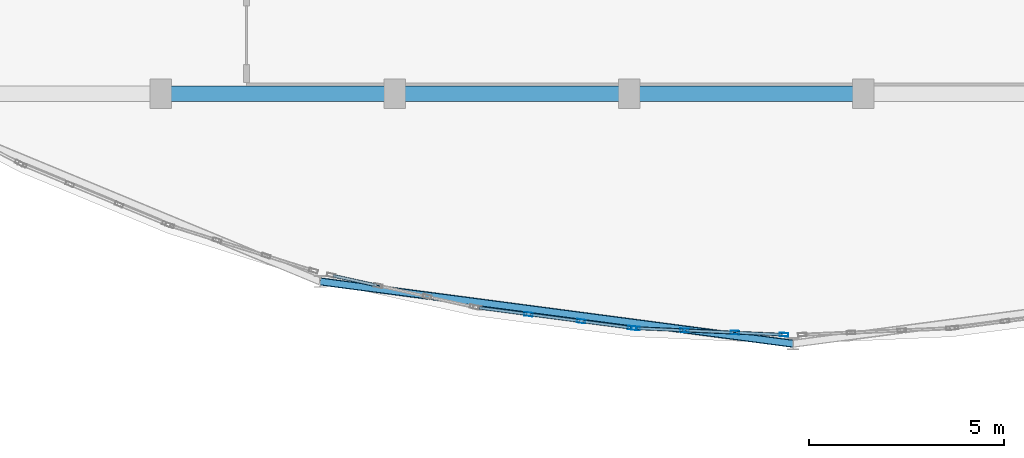
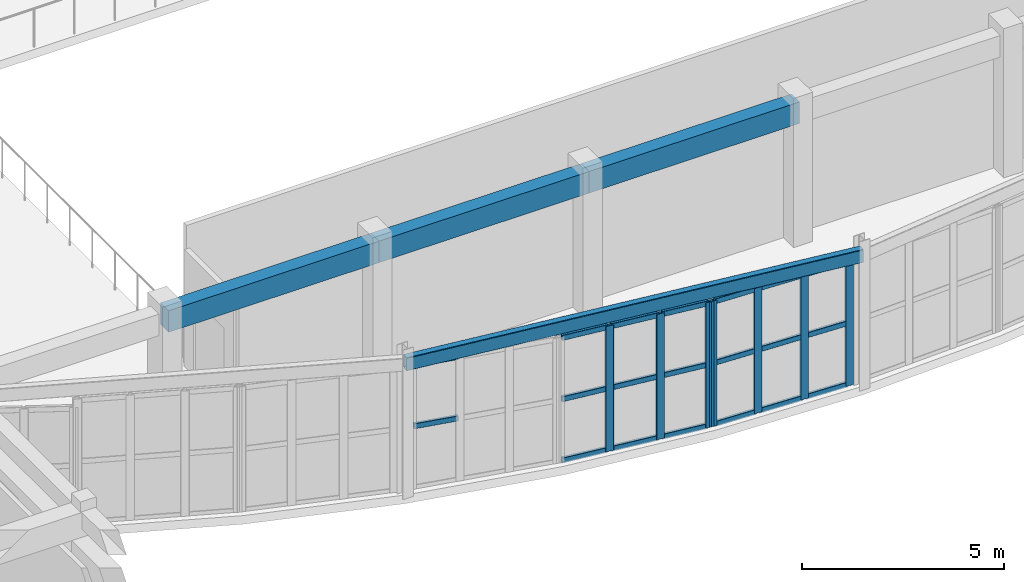
# One storey, part 7 of 92: 27 members, 4 beams, 3 elements without a shape of their own.
"""IFC4 building model written with IfcOpenShell, lengths in metres."""

from ifc_helpers import new_model, si_unit, direction, frame, origin, origin_2d, place, context, subcontext, project, spatial, rectangle, hollow_rectangle, extrude, material, layer, layer_set, material_profile, profile_set, type_object, element, aggregate, save


model = new_model("IFC4")

# Units and contexts
model_context = context("Model", 3, precision=1e-05, world=origin(), true_north=direction((0.0, 1.0)))
body_context = subcontext(model_context, "Body", "Model", "MODEL_VIEW")
ifc_project = project(units=[si_unit("LENGTHUNIT", "METRE"), si_unit("AREAUNIT", "SQUARE_METRE"), si_unit("VOLUMEUNIT", "CUBIC_METRE"), si_unit("PLANEANGLEUNIT", "RADIAN"), si_unit("MASSUNIT", "GRAM", prefix="KILO")], contexts=[model_context])

# Site, building, storey
site_placement = place(None, origin())
site = spatial("IfcSite", under=ifc_project, at=site_placement, CompositionType="ELEMENT")
building_placement = place(site_placement, origin())
building = spatial("IfcBuilding", under=site, at=building_placement, Name="Tarnavel Promenade Courthouse", CompositionType="ELEMENT")
storey_placement = place(building_placement, frame((0.0, 0.0, 5.39990234375)))
storey = spatial("IfcBuildingStorey", under=building, at=storey_placement, Name="L02", CompositionType="ELEMENT", Elevation=5.39990234375)

# Beams
ifc_material_1 = material(Name="Concrete C40/50", Category="concrete")
ifc_material_profile_1 = material_profile(ifc_material_1, rectangle(XDim=0.39990234375, YDim=0.64990234375, at=origin_2d()), Name="RC 400x650")
ifc_profile_set_1 = profile_set([ifc_material_profile_1], Name="Concrete C40/50")
beam_type_1 = type_object("IfcBeamType", Name="Concrete C40/50 BM-RC-400x650 (RC 400x650)", PredefinedType="BEAM", material=ifc_profile_set_1)
for number, where, z_axis, x_axis, name in (
    (1, (15.60009765625, 14.800048828125, 3.8701171875), (1.0, 0.0, 0.0), (0.0, 1.0, 0.0), "L02 Primary Longitudinal Beam 1073"),
    (2, (21.60009765625, 14.800048828125, 3.8701171875), (1.0, 0.0, 0.0), (0.0, 1.0, 0.0), "L02 Primary Longitudinal Beam 1074"),
    (3, (27.60009765625, 14.800048828125, 3.8701171875), (1.0, 0.0, 0.0), (0.0, 1.0, 0.0), "L02 Primary Longitudinal Beam 1075"),
):
    element("IfcBeam", number, at=place(storey_placement, frame(where, z_axis=z_axis, x_axis=x_axis)), inside=storey, type_object=beam_type_1, Name=name, PredefinedType="BEAM", context=body_context, shape_type="SweptSolid", body=[
        extrude(rectangle(XDim=0.39990234375, YDim=0.64990234375, at=origin_2d()), origin(), (0.0, 0.0, 1.0), 6.0),
    ])
ifc_material_2 = material(Name="Steel S355J2", Category="steel")
ifc_material_profile_2 = material_profile(ifc_material_2, hollow_rectangle(XDim=0.199951171875, YDim=0.39990234375, WallThickness=0.01416015625, InnerFilletRadius=0.013916015625, OuterFilletRadius=0.028076171875, at=origin_2d()), Name="RHS 400x200x14.2")
ifc_profile_set_2 = profile_set([ifc_material_profile_2], Name="Steel S355J2")
beam_type_2 = type_object("IfcBeamType", Name="Steel S355J2 BM-ST-RHS400 (RHS 400x200x14.2)", PredefinedType="SPANDREL", material=ifc_profile_set_2)
beam_placement = place(storey_placement, frame((19.687255859375, 9.99462890625, 3.9951171875), z_axis=(0.991444362306, -0.13052998296, 0.0), x_axis=(0.13052998296, 0.991444362306, 0.0)))
element("IfcBeam", 4, at=beam_placement, inside=storey, type_object=beam_type_2, Name="L02 Public Drum Ring Beam 1528", PredefinedType="SPANDREL", context=body_context, shape_type="SweptSolid", body=[
    extrude(hollow_rectangle(XDim=0.199951171875, YDim=0.39990234375, WallThickness=0.01416015625, InnerFilletRadius=0.013916015625, OuterFilletRadius=0.028076171875, at=origin_2d()), origin(), (0.0, 0.0, 1.0), 12.21728515625),
])

# Curtain wall, members
ifc_material_3 = material(Name="Thermally Broken Anodised Aluminium Curtain Wall System", Category="aluminium")
ifc_layer = layer(ifc_material_3, 0.219970703125)
ifc_layer_set = layer_set([ifc_layer], Name="Thermally Broken Anodised Aluminium Curtain Wall System")
curtain_wall_type = type_object("IfcCurtainWallType", Name="Thermally Broken Aluminium Triple-Glazed Curtain Wall CW-DRUM", PredefinedType="NOTDEFINED", material=ifc_layer_set)
curtain_wall_1_placement = place(storey_placement, origin())
curtain_wall_1 = element("IfcCurtainWall", 5, at=curtain_wall_1_placement, inside=storey, type_object=curtain_wall_type, Name="L02 Public Hall Drum Curtain Wall 016", PredefinedType="NOTDEFINED")
ifc_material_4 = material(Name="Thermally Broken Anodised Aluminium Frame", Category="aluminium")
ifc_material_profile_3 = material_profile(ifc_material_4, hollow_rectangle(XDim=0.090087890625, YDim=0.219970703125, WallThickness=0.0048828125, InnerFilletRadius=0.0048828125, OuterFilletRadius=0.010009765625, at=origin_2d()), Name="CWM 220x90x5")
ifc_profile_set_3 = profile_set([ifc_material_profile_3], Name="Thermally Broken Anodised Aluminium Frame")
member_type_1 = type_object("IfcMemberType", Name="Thermally Broken Anodised Aluminium CWM-175 (CWM 220x90x5)", PredefinedType="MULLION", material=ifc_profile_set_3)
member_1_placement = place(storey_placement, frame((25.0224609375, 9.1533203125, 0.0), z_axis=(0.0, 0.0, 1.0), x_axis=(0.130526614558, 0.991444805772, 0.0)))
member_1 = element("IfcMember", 6, at=member_1_placement, type_object=member_type_1, Name="CW-01 mullion 2", PredefinedType="MULLION", context=body_context, shape_type="SweptSolid", body=[
    extrude(hollow_rectangle(XDim=0.090087890625, YDim=0.219970703125, WallThickness=0.0048828125, InnerFilletRadius=0.0048828125, OuterFilletRadius=0.010009765625, at=origin_2d()), origin(), (0.0, 0.0, 1.0), 3.780029296875),
])
member_2_placement = place(storey_placement, frame((26.371826171875, 8.975830078125, 0.0), z_axis=(0.0, 0.0, 1.0), x_axis=(0.130526614558, 0.991444805772, 0.0)))
member_2 = element("IfcMember", 7, at=member_2_placement, type_object=member_type_1, Name="CW-01 mullion 3", PredefinedType="MULLION", context=body_context, shape_type="SweptSolid", body=[
    extrude(hollow_rectangle(XDim=0.090087890625, YDim=0.219970703125, WallThickness=0.0048828125, InnerFilletRadius=0.0048828125, OuterFilletRadius=0.010009765625, at=origin_2d()), origin(), (0.0, 0.0, 1.0), 3.780029296875),
])
member_3_placement = place(storey_placement, frame((27.676513671875, 8.803955078125, 0.0), z_axis=(0.0, 0.0, 1.0), x_axis=(0.130526614558, 0.991444805772, 0.0)))
member_3 = element("IfcMember", 8, at=member_3_placement, type_object=member_type_1, Name="CW-01 mullion 4", PredefinedType="MULLION", context=body_context, shape_type="SweptSolid", body=[
    extrude(hollow_rectangle(XDim=0.090087890625, YDim=0.219970703125, WallThickness=0.0048828125, InnerFilletRadius=0.0048828125, OuterFilletRadius=0.010009765625, at=origin_2d()), origin(), (0.0, 0.0, 1.0), 3.780029296875),
])

curtain_wall_2_placement = place(storey_placement, origin())
curtain_wall_2 = element("IfcCurtainWall", 9, at=curtain_wall_2_placement, inside=storey, type_object=curtain_wall_type, Name="L02 Public Hall Drum Curtain Wall 017", PredefinedType="NOTDEFINED")
member_4_placement = place(storey_placement, frame((27.76611328125, 8.796142578125, 0.0), z_axis=(0.0, 0.0, 1.0), x_axis=(0.04361861839, 0.999048255156, 0.0)))
member_4 = element("IfcMember", 10, at=member_4_placement, type_object=member_type_1, Name="CW-01 mullion 1", PredefinedType="MULLION", context=body_context, shape_type="SweptSolid", body=[
    extrude(hollow_rectangle(XDim=0.090087890625, YDim=0.219970703125, WallThickness=0.0048828125, InnerFilletRadius=0.0048828125, OuterFilletRadius=0.010009765625, at=origin_2d()), origin(), (0.0, 0.0, 1.0), 3.780029296875),
])
member_5_placement = place(storey_placement, frame((29.017333984375, 8.741455078125, 0.0), z_axis=(0.0, 0.0, 1.0), x_axis=(0.04361861839, 0.999048255156, 0.0)))
member_5 = element("IfcMember", 11, at=member_5_placement, type_object=member_type_1, Name="CW-01 mullion 2", PredefinedType="MULLION", context=body_context, shape_type="SweptSolid", body=[
    extrude(hollow_rectangle(XDim=0.090087890625, YDim=0.219970703125, WallThickness=0.0048828125, InnerFilletRadius=0.0048828125, OuterFilletRadius=0.010009765625, at=origin_2d()), origin(), (0.0, 0.0, 1.0), 3.780029296875),
])
member_6_placement = place(storey_placement, frame((30.3134765625, 8.684814453125, 0.0), z_axis=(0.0, 0.0, 1.0), x_axis=(0.04361861839, 0.999048255156, 0.0)))
member_6 = element("IfcMember", 12, at=member_6_placement, type_object=member_type_1, Name="CW-01 mullion 3", PredefinedType="MULLION", context=body_context, shape_type="SweptSolid", body=[
    extrude(hollow_rectangle(XDim=0.090087890625, YDim=0.219970703125, WallThickness=0.0048828125, InnerFilletRadius=0.0048828125, OuterFilletRadius=0.010009765625, at=origin_2d()), origin(), (0.0, 0.0, 1.0), 3.780029296875),
])
member_7_placement = place(storey_placement, frame((31.56494140625, 8.63037109375, 0.0), z_axis=(0.0, 0.0, 1.0), x_axis=(0.04361861839, 0.999048255156, 0.0)))
member_7 = element("IfcMember", 13, at=member_7_placement, type_object=member_type_1, Name="CW-01 mullion 4", PredefinedType="MULLION", context=body_context, shape_type="SweptSolid", body=[
    extrude(hollow_rectangle(XDim=0.090087890625, YDim=0.219970703125, WallThickness=0.0048828125, InnerFilletRadius=0.0048828125, OuterFilletRadius=0.010009765625, at=origin_2d()), origin(), (0.0, 0.0, 1.0), 3.780029296875),
])

curtain_wall_3_placement = place(storey_placement, origin())
curtain_wall_3 = element("IfcCurtainWall", 14, at=curtain_wall_3_placement, inside=storey, type_object=curtain_wall_type, Name="L02 Public Hall Drum Curtain Wall 015", PredefinedType="NOTDEFINED")
ifc_material_profile_4 = material_profile(ifc_material_4, hollow_rectangle(XDim=0.080078125, YDim=0.159912109375, WallThickness=0.0048828125, InnerFilletRadius=0.0048828125, OuterFilletRadius=0.010009765625, at=origin_2d()), Name="CWT 160x80x5")
ifc_profile_set_4 = profile_set([ifc_material_profile_4], Name="Thermally Broken Anodised Aluminium Frame")
member_type_2 = type_object("IfcMemberType", Name="Thermally Broken Anodised Aluminium CWT-145 (CWT 160x80x5)", PredefinedType="USERDEFINED", material=ifc_profile_set_4)
member_8_placement = place(storey_placement, frame((20.016845703125, 10.1416015625, 1.89013671875), z_axis=(0.976287421137, -0.216478339172, 0.0), x_axis=(0.216478339172, 0.976287421137, 0.0)))
member_8 = element("IfcMember", 15, at=member_8_placement, type_object=member_type_2, Name="CW-01 transom 1.2", ObjectType="TRANSOM", PredefinedType="USERDEFINED", context=body_context, shape_type="SweptSolid", body=[
    extrude(hollow_rectangle(XDim=0.080078125, YDim=0.159912109375, WallThickness=0.0048828125, InnerFilletRadius=0.0048828125, OuterFilletRadius=0.010009765625, at=origin_2d()), origin(), (0.0, 0.0, 1.0), 1.1435546875),
])
member_9_placement = place(storey_placement, frame((20.016845703125, 10.1416015625, 3.739990234375), z_axis=(0.976287421137, -0.216478339172, 0.0), x_axis=(0.216478339172, 0.976287421137, 0.0)))
member_9 = element("IfcMember", 16, at=member_9_placement, type_object=member_type_2, Name="CW-01 transom 1.3", ObjectType="TRANSOM", PredefinedType="USERDEFINED", context=body_context, shape_type="SweptSolid", body=[
    extrude(hollow_rectangle(XDim=0.080078125, YDim=0.159912109375, WallThickness=0.0048828125, InnerFilletRadius=0.0048828125, OuterFilletRadius=0.010009765625, at=origin_2d()), origin(), (0.0, 0.0, 1.0), 1.1435546875),
])
aggregate(curtain_wall_3, [member_8, member_9])

# Member
member_10_placement = place(storey_placement, frame((23.762451171875, 9.3193359375, 0.0400390625), z_axis=(0.99143191525, -0.130624490139, 0.0), x_axis=(0.130624490139, 0.99143191525, 0.0)))
member_10 = element("IfcMember", 17, at=member_10_placement, type_object=member_type_2, Name="CW-01 transom 1.1", ObjectType="TRANSOM", PredefinedType="USERDEFINED", context=body_context, shape_type="SweptSolid", body=[
    extrude(hollow_rectangle(XDim=0.080078125, YDim=0.159912109375, WallThickness=0.0048828125, InnerFilletRadius=0.0048828125, OuterFilletRadius=0.010009765625, at=origin_2d()), origin(), (0.0, 0.0, 1.0), 1.22607421875),
])

member_11_placement = place(storey_placement, frame((23.762451171875, 9.3193359375, 1.89013671875), z_axis=(0.99143191525, -0.130624490139, 0.0), x_axis=(0.130624490139, 0.99143191525, 0.0)))
member_11 = element("IfcMember", 18, at=member_11_placement, type_object=member_type_2, Name="CW-01 transom 1.2", ObjectType="TRANSOM", PredefinedType="USERDEFINED", context=body_context, shape_type="SweptSolid", body=[
    extrude(hollow_rectangle(XDim=0.080078125, YDim=0.159912109375, WallThickness=0.0048828125, InnerFilletRadius=0.0048828125, OuterFilletRadius=0.010009765625, at=origin_2d()), origin(), (0.0, 0.0, 1.0), 1.22607421875),
])

member_12_placement = place(storey_placement, frame((23.762451171875, 9.3193359375, 3.739990234375), z_axis=(0.99143191525, -0.130624490139, 0.0), x_axis=(0.130624490139, 0.99143191525, 0.0)))
member_12 = element("IfcMember", 19, at=member_12_placement, type_object=member_type_2, Name="CW-01 transom 1.3", ObjectType="TRANSOM", PredefinedType="USERDEFINED", context=body_context, shape_type="SweptSolid", body=[
    extrude(hollow_rectangle(XDim=0.080078125, YDim=0.159912109375, WallThickness=0.0048828125, InnerFilletRadius=0.0048828125, OuterFilletRadius=0.010009765625, at=origin_2d()), origin(), (0.0, 0.0, 1.0), 1.22607421875),
])

member_13_placement = place(storey_placement, frame((25.067138671875, 9.1474609375, 0.0400390625), z_axis=(0.991456257025, -0.130439604441, 0.0), x_axis=(0.130439604441, 0.991456257025, 0.0)))
member_13 = element("IfcMember", 20, at=member_13_placement, type_object=member_type_2, Name="CW-01 transom 2.1", ObjectType="TRANSOM", PredefinedType="USERDEFINED", context=body_context, shape_type="SweptSolid", body=[
    extrude(hollow_rectangle(XDim=0.080078125, YDim=0.159912109375, WallThickness=0.0048828125, InnerFilletRadius=0.0048828125, OuterFilletRadius=0.010009765625, at=origin_2d()), origin(), (0.0, 0.0, 1.0), 1.270751953125),
])

member_14_placement = place(storey_placement, frame((25.067138671875, 9.1474609375, 1.89013671875), z_axis=(0.991456257025, -0.130439604441, 0.0), x_axis=(0.130439604441, 0.991456257025, 0.0)))
member_14 = element("IfcMember", 21, at=member_14_placement, type_object=member_type_2, Name="CW-01 transom 2.2", ObjectType="TRANSOM", PredefinedType="USERDEFINED", context=body_context, shape_type="SweptSolid", body=[
    extrude(hollow_rectangle(XDim=0.080078125, YDim=0.159912109375, WallThickness=0.0048828125, InnerFilletRadius=0.0048828125, OuterFilletRadius=0.010009765625, at=origin_2d()), origin(), (0.0, 0.0, 1.0), 1.270751953125),
])

member_15_placement = place(storey_placement, frame((25.067138671875, 9.1474609375, 3.739990234375), z_axis=(0.991456257025, -0.130439604441, 0.0), x_axis=(0.130439604441, 0.991456257025, 0.0)))
member_15 = element("IfcMember", 22, at=member_15_placement, type_object=member_type_2, Name="CW-01 transom 2.3", ObjectType="TRANSOM", PredefinedType="USERDEFINED", context=body_context, shape_type="SweptSolid", body=[
    extrude(hollow_rectangle(XDim=0.080078125, YDim=0.159912109375, WallThickness=0.0048828125, InnerFilletRadius=0.0048828125, OuterFilletRadius=0.010009765625, at=origin_2d()), origin(), (0.0, 0.0, 1.0), 1.270751953125),
])

member_16_placement = place(storey_placement, frame((26.41650390625, 8.969970703125, 0.0400390625), z_axis=(0.991428516661, -0.13065028263, 0.0), x_axis=(0.13065028263, 0.991428516661, 0.0)))
member_16 = element("IfcMember", 23, at=member_16_placement, type_object=member_type_2, Name="CW-01 transom 3.1", ObjectType="TRANSOM", PredefinedType="USERDEFINED", context=body_context, shape_type="SweptSolid", body=[
    extrude(hollow_rectangle(XDim=0.080078125, YDim=0.159912109375, WallThickness=0.0048828125, InnerFilletRadius=0.0048828125, OuterFilletRadius=0.010009765625, at=origin_2d()), origin(), (0.0, 0.0, 1.0), 1.225830078125),
])

member_17_placement = place(storey_placement, frame((26.41650390625, 8.969970703125, 1.89013671875), z_axis=(0.991428516661, -0.13065028263, 0.0), x_axis=(0.13065028263, 0.991428516661, 0.0)))
member_17 = element("IfcMember", 24, at=member_17_placement, type_object=member_type_2, Name="CW-01 transom 3.2", ObjectType="TRANSOM", PredefinedType="USERDEFINED", context=body_context, shape_type="SweptSolid", body=[
    extrude(hollow_rectangle(XDim=0.080078125, YDim=0.159912109375, WallThickness=0.0048828125, InnerFilletRadius=0.0048828125, OuterFilletRadius=0.010009765625, at=origin_2d()), origin(), (0.0, 0.0, 1.0), 1.225830078125),
])

member_18_placement = place(storey_placement, frame((26.41650390625, 8.969970703125, 3.739990234375), z_axis=(0.991428516661, -0.13065028263, 0.0), x_axis=(0.13065028263, 0.991428516661, 0.0)))
member_18 = element("IfcMember", 25, at=member_18_placement, type_object=member_type_2, Name="CW-01 transom 3.3", ObjectType="TRANSOM", PredefinedType="USERDEFINED", context=body_context, shape_type="SweptSolid", body=[
    extrude(hollow_rectangle(XDim=0.080078125, YDim=0.159912109375, WallThickness=0.0048828125, InnerFilletRadius=0.0048828125, OuterFilletRadius=0.010009765625, at=origin_2d()), origin(), (0.0, 0.0, 1.0), 1.225830078125),
])

aggregate(curtain_wall_1, [member_1, member_2, member_3, member_10, member_11, member_12, member_13, member_14, member_15, member_16, member_17, member_18])

member_19_placement = place(storey_placement, frame((27.81103515625, 8.794189453125, 0.0400390625), z_axis=(0.999045429129, -0.043683298141, 0.0), x_axis=(0.043683298141, 0.999045429129, 0.0)))
member_19 = element("IfcMember", 26, at=member_19_placement, type_object=member_type_2, Name="CW-01 transom 1.1", ObjectType="TRANSOM", PredefinedType="USERDEFINED", context=body_context, shape_type="SweptSolid", body=[
    extrude(hollow_rectangle(XDim=0.080078125, YDim=0.159912109375, WallThickness=0.0048828125, InnerFilletRadius=0.0048828125, OuterFilletRadius=0.010009765625, at=origin_2d()), origin(), (0.0, 0.0, 1.0), 1.16259765625),
])

member_20_placement = place(storey_placement, frame((27.81103515625, 8.794189453125, 1.89013671875), z_axis=(0.999045429129, -0.043683298141, 0.0), x_axis=(0.043683298141, 0.999045429129, 0.0)))
member_20 = element("IfcMember", 27, at=member_20_placement, type_object=member_type_2, Name="CW-01 transom 1.2", ObjectType="TRANSOM", PredefinedType="USERDEFINED", context=body_context, shape_type="SweptSolid", body=[
    extrude(hollow_rectangle(XDim=0.080078125, YDim=0.159912109375, WallThickness=0.0048828125, InnerFilletRadius=0.0048828125, OuterFilletRadius=0.010009765625, at=origin_2d()), origin(), (0.0, 0.0, 1.0), 1.16259765625),
])

member_21_placement = place(storey_placement, frame((27.81103515625, 8.794189453125, 3.739990234375), z_axis=(0.999045429129, -0.043683298141, 0.0), x_axis=(0.043683298141, 0.999045429129, 0.0)))
member_21 = element("IfcMember", 28, at=member_21_placement, type_object=member_type_2, Name="CW-01 transom 1.3", ObjectType="TRANSOM", PredefinedType="USERDEFINED", context=body_context, shape_type="SweptSolid", body=[
    extrude(hollow_rectangle(XDim=0.080078125, YDim=0.159912109375, WallThickness=0.0048828125, InnerFilletRadius=0.0048828125, OuterFilletRadius=0.010009765625, at=origin_2d()), origin(), (0.0, 0.0, 1.0), 1.16259765625),
])

member_22_placement = place(storey_placement, frame((29.062255859375, 8.739501953125, 0.0400390625), z_axis=(0.999045829762, -0.043674134634, 0.0), x_axis=(0.043674134634, 0.999045829762, 0.0)))
member_22 = element("IfcMember", 29, at=member_22_placement, type_object=member_type_2, Name="CW-01 transom 2.1", ObjectType="TRANSOM", PredefinedType="USERDEFINED", context=body_context, shape_type="SweptSolid", body=[
    extrude(hollow_rectangle(XDim=0.080078125, YDim=0.159912109375, WallThickness=0.0048828125, InnerFilletRadius=0.0048828125, OuterFilletRadius=0.010009765625, at=origin_2d()), origin(), (0.0, 0.0, 1.0), 1.20751953125),
])

member_23_placement = place(storey_placement, frame((29.062255859375, 8.739501953125, 1.89013671875), z_axis=(0.999045829762, -0.043674134634, 0.0), x_axis=(0.043674134634, 0.999045829762, 0.0)))
member_23 = element("IfcMember", 30, at=member_23_placement, type_object=member_type_2, Name="CW-01 transom 2.2", ObjectType="TRANSOM", PredefinedType="USERDEFINED", context=body_context, shape_type="SweptSolid", body=[
    extrude(hollow_rectangle(XDim=0.080078125, YDim=0.159912109375, WallThickness=0.0048828125, InnerFilletRadius=0.0048828125, OuterFilletRadius=0.010009765625, at=origin_2d()), origin(), (0.0, 0.0, 1.0), 1.20751953125),
])

member_24_placement = place(storey_placement, frame((29.062255859375, 8.739501953125, 3.739990234375), z_axis=(0.999045829762, -0.043674134634, 0.0), x_axis=(0.043674134634, 0.999045829762, 0.0)))
member_24 = element("IfcMember", 31, at=member_24_placement, type_object=member_type_2, Name="CW-01 transom 2.3", ObjectType="TRANSOM", PredefinedType="USERDEFINED", context=body_context, shape_type="SweptSolid", body=[
    extrude(hollow_rectangle(XDim=0.080078125, YDim=0.159912109375, WallThickness=0.0048828125, InnerFilletRadius=0.0048828125, OuterFilletRadius=0.010009765625, at=origin_2d()), origin(), (0.0, 0.0, 1.0), 1.20751953125),
])

member_25_placement = place(storey_placement, frame((30.3583984375, 8.682861328125, 0.0400390625), z_axis=(0.99905457265, -0.043473680164, 0.0), x_axis=(0.043473680164, 0.99905457265, 0.0)))
member_25 = element("IfcMember", 32, at=member_25_placement, type_object=member_type_2, Name="CW-01 transom 3.1", ObjectType="TRANSOM", PredefinedType="USERDEFINED", context=body_context, shape_type="SweptSolid", body=[
    extrude(hollow_rectangle(XDim=0.080078125, YDim=0.159912109375, WallThickness=0.0048828125, InnerFilletRadius=0.0048828125, OuterFilletRadius=0.010009765625, at=origin_2d()), origin(), (0.0, 0.0, 1.0), 1.16259765625),
])

member_26_placement = place(storey_placement, frame((30.3583984375, 8.682861328125, 1.89013671875), z_axis=(0.99905457265, -0.043473680164, 0.0), x_axis=(0.043473680164, 0.99905457265, 0.0)))
member_26 = element("IfcMember", 33, at=member_26_placement, type_object=member_type_2, Name="CW-01 transom 3.2", ObjectType="TRANSOM", PredefinedType="USERDEFINED", context=body_context, shape_type="SweptSolid", body=[
    extrude(hollow_rectangle(XDim=0.080078125, YDim=0.159912109375, WallThickness=0.0048828125, InnerFilletRadius=0.0048828125, OuterFilletRadius=0.010009765625, at=origin_2d()), origin(), (0.0, 0.0, 1.0), 1.16259765625),
])

member_27_placement = place(storey_placement, frame((30.3583984375, 8.682861328125, 3.739990234375), z_axis=(0.99905457265, -0.043473680164, 0.0), x_axis=(0.043473680164, 0.99905457265, 0.0)))
member_27 = element("IfcMember", 34, at=member_27_placement, type_object=member_type_2, Name="CW-01 transom 3.3", ObjectType="TRANSOM", PredefinedType="USERDEFINED", context=body_context, shape_type="SweptSolid", body=[
    extrude(hollow_rectangle(XDim=0.080078125, YDim=0.159912109375, WallThickness=0.0048828125, InnerFilletRadius=0.0048828125, OuterFilletRadius=0.010009765625, at=origin_2d()), origin(), (0.0, 0.0, 1.0), 1.16259765625),
])

aggregate(curtain_wall_2, [member_4, member_5, member_6, member_7, member_19, member_20, member_21, member_22, member_23, member_24, member_25, member_26, member_27])

save(model, "model.ifc")
